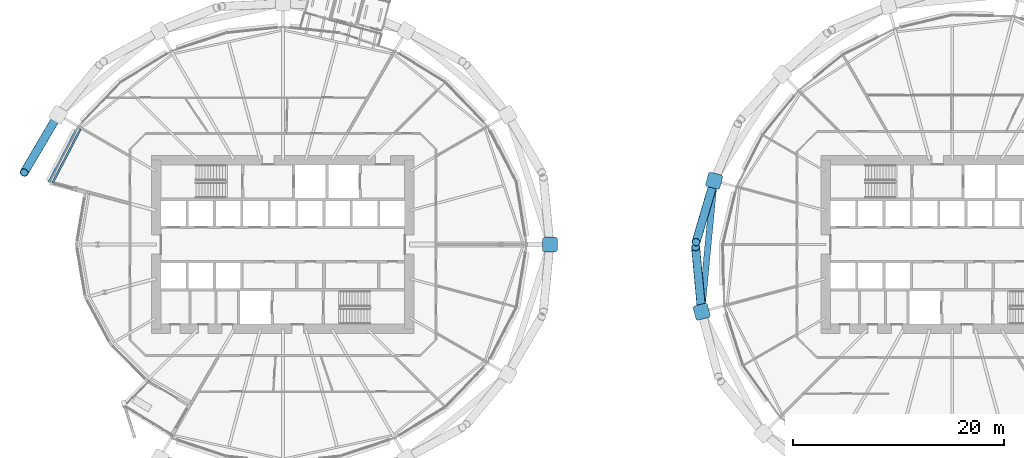
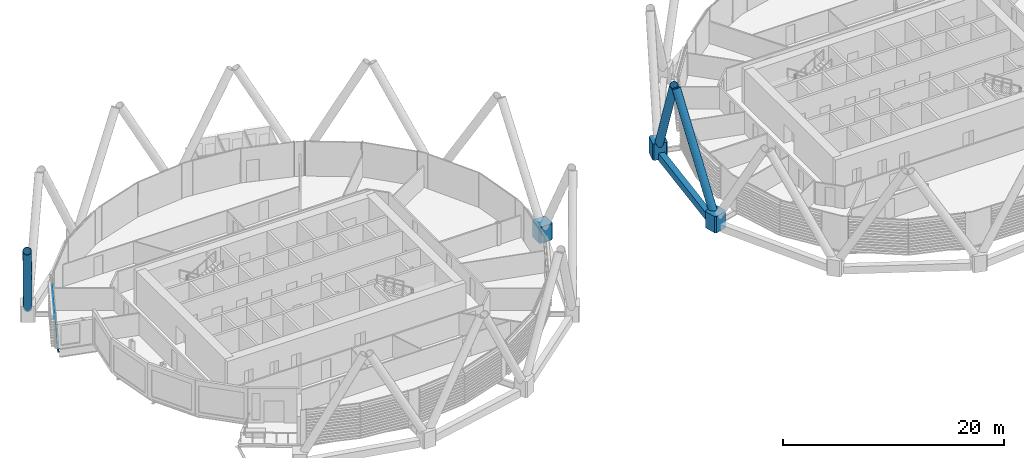
# One storey, part 10 of 40: 7 members, 2 beams, 1 element without a shape of its own.
"""IFC4 building model written with IfcOpenShell, lengths in metres."""

import ifcopenshell
import ifcopenshell.guid

model = None  # the IFC model being written
_history = None  # IfcOwnerHistory: only IFC2X3 demands one
_inside = {}  # id of a spatial element -> (the spatial element, [elements in it])
_under = {}  # id of a project, library or spatial element -> (it, [spatial elements below it])
_declared = {}  # id of a project -> (the project, [libraries it declares])
_typed = {}  # id of a type object -> (the type object, [elements of that type])
_made_of = {}  # id of a material, layer set ... -> (it, [elements and type objects made of it])


def new_model(schema):
    """Start an empty IFC model of exactly this schema.

    Asked for "IFC4X3", IfcOpenShell would pick the latest addendum, in which some entities
    have other attributes; the version numbers below select the first issue.
    IFC2X3 requires an IfcOwnerHistory on every rooted entity: one is made here for all.
    """
    global model, _history
    if schema == "IFC4X3":
        model = ifcopenshell.file(schema_version=(4, 3, 0, 0))
    else:
        model = ifcopenshell.file(schema=schema)
    _inside.clear()
    _under.clear()
    _declared.clear()
    _typed.clear()
    _made_of.clear()
    _history = None
    if model.schema == "IFC2X3":
        org = make("IfcOrganization", Name="unknown")
        user = make(
            "IfcPersonAndOrganization",
            ThePerson=make("IfcPerson", FamilyName="unknown"),
            TheOrganization=org,
        )
        app = make(
            "IfcApplication",
            ApplicationDeveloper=org,
            Version="unknown",
            ApplicationFullName="unknown",
            ApplicationIdentifier="unknown",
        )
        _history = make(
            "IfcOwnerHistory",
            OwningUser=user,
            OwningApplication=app,
            ChangeAction="ADDED",
            CreationDate=0,
        )
    return model


def make(cls, **values):
    """One entity of the class cls with the attributes given. An attribute that is None is left unset."""
    return model.create_entity(
        cls, **{name: value for name, value in values.items() if value is not None}
    )


def rooted(cls, **values):
    """An entity with a GlobalId (a new one), such as an element, a storey or a relation."""
    return make(cls, GlobalId=ifcopenshell.guid.new(), OwnerHistory=_history, **values)


def si_unit(unit_type, name, prefix=None):
    """IfcSIUnit, for example si_unit("LENGTHUNIT", "METRE", prefix="MILLI")."""
    return make("IfcSIUnit", UnitType=unit_type, Prefix=prefix, Name=name)


def assignment(units):
    """IfcUnitAssignment: the units of a project."""
    return None if units is None else make("IfcUnitAssignment", Units=units)


def point(xyz):
    """IfcCartesianPoint."""
    return None if xyz is None else make("IfcCartesianPoint", Coordinates=xyz)


def direction(xyz):
    """IfcDirection."""
    return None if xyz is None else make("IfcDirection", DirectionRatios=xyz)


def frame(location, z_axis=None, x_axis=None):
    """IfcAxis2Placement3D, a coordinate frame: its origin and axes. An axis left out is left unset."""
    return make(
        "IfcAxis2Placement3D",
        Location=point(location),
        Axis=direction(z_axis),
        RefDirection=direction(x_axis),
    )


def frame_2d(location, x_axis=None):
    """IfcAxis2Placement2D, a coordinate frame in the plane: its origin and x axis."""
    return make(
        "IfcAxis2Placement2D", Location=point(location), RefDirection=direction(x_axis)
    )


def origin():
    """The frame at (0, 0, 0) with its axes left unset."""
    return frame((0.0, 0.0, 0.0))


def origin_2d():
    """The frame at (0, 0) in the plane with its x axis left unset."""
    return frame_2d((0.0, 0.0))


def place(relative_to, where):
    """IfcLocalPlacement: puts the frame where relative to a parent placement (None: the world)."""
    return make(
        "IfcLocalPlacement", PlacementRelTo=relative_to, RelativePlacement=where
    )


def context(
    kind, dimensions, precision=None, world=None, true_north=None, identifier=None
):
    """IfcGeometricRepresentationContext, for example the 3D "Model" context."""
    return make(
        "IfcGeometricRepresentationContext",
        ContextIdentifier=identifier,
        ContextType=kind,
        CoordinateSpaceDimension=dimensions,
        Precision=precision,
        WorldCoordinateSystem=world,
        TrueNorth=true_north,
    )


def subcontext(parent, identifier, kind, view, scale=None):
    """IfcGeometricRepresentationSubContext, for example "Body" below "Model"."""
    return make(
        "IfcGeometricRepresentationSubContext",
        ContextIdentifier=identifier,
        ContextType=kind,
        ParentContext=parent,
        TargetScale=scale,
        TargetView=view,
    )


def project(units=None, contexts=None):
    """IfcProject with its units and contexts."""
    return rooted(
        "IfcProject",
        Name="project",
        RepresentationContexts=contexts,
        UnitsInContext=assignment(units),
    )


def spatial(cls, under=None, at=None, **own):
    """A site, building, storey or space (cls), placed at a placement, below another one or the project."""
    s = rooted(cls, ObjectPlacement=at, **own)
    if under is not None:
        _under.setdefault(under.id(), (under, []))[1].append(s)
    return s


def polyline(points):
    """IfcPolyline through the points."""
    return make("IfcPolyline", Points=[point(p) for p in points])


def profile(cls, at=None, kind="AREA", **sizes):
    """A parametric profile (cls). Its sizes go by their IFC names, for example OverallWidth=200.0."""
    return make(cls, ProfileType=kind, Position=at, **sizes)


def rectangle(**sizes):
    """IfcRectangleProfileDef."""
    return profile("IfcRectangleProfileDef", **sizes)


def hollow_rectangle(**sizes):
    """IfcRectangleHollowProfileDef."""
    return profile("IfcRectangleHollowProfileDef", **sizes)


def hollow_circle(**sizes):
    """IfcCircleHollowProfileDef."""
    return profile("IfcCircleHollowProfileDef", **sizes)


def i_section(**sizes):
    """IfcIShapeProfileDef."""
    return profile("IfcIShapeProfileDef", **sizes)


def outline(outer, holes=None, kind="AREA"):
    """IfcArbitraryClosedProfileDef: a profile drawn as a closed curve; with holes, ...WithVoids."""
    if holes is None:
        return make("IfcArbitraryClosedProfileDef", ProfileType=kind, OuterCurve=outer)
    return make(
        "IfcArbitraryProfileDefWithVoids",
        ProfileType=kind,
        OuterCurve=outer,
        InnerCurves=holes,
    )


def extrude(swept, where, along, depth):
    """IfcExtrudedAreaSolid: the profile swept, set in the frame where, extruded along a direction by depth."""
    return make(
        "IfcExtrudedAreaSolid",
        SweptArea=swept,
        Position=where,
        ExtrudedDirection=direction(along),
        Depth=depth,
    )


def shape(context_of_items, identifier, shape_type, items):
    """IfcShapeRepresentation: the items that make up one representation, for example the "Body"."""
    return make(
        "IfcShapeRepresentation",
        ContextOfItems=context_of_items,
        RepresentationIdentifier=identifier,
        RepresentationType=shape_type,
        Items=items,
    )


def material(Name=None, Category=None):
    """IfcMaterial."""
    return make("IfcMaterial", Name=Name, Category=Category)


def material_profile(
    of_material, cross_section, Name=None, Category=None, Priority=None
):
    """IfcMaterialProfile: a cross section and its material."""
    return make(
        "IfcMaterialProfile",
        Name=Name,
        Material=of_material,
        Profile=cross_section,
        Priority=Priority,
        Category=Category,
    )


def profile_set(profiles, Name=None, composite=None):
    """IfcMaterialProfileSet."""
    return make(
        "IfcMaterialProfileSet",
        Name=Name,
        MaterialProfiles=profiles,
        CompositeProfile=composite,
    )


def made_of(thing, what):
    """Note that an element or type object is made of a material, layer set ...; save() writes the relation."""
    if what is not None:
        _made_of.setdefault(what.id(), (what, []))[1].append(thing)
    return thing


def type_object(cls, material=None, **own):
    """A type object (cls), such as IfcWallType, which elements share."""
    return made_of(rooted(cls, **own), material)


def element(
    cls,
    number,
    at=None,
    inside=None,
    cuts=None,
    type_object=None,
    material=None,
    context=None,
    identifier="Body",
    shape_type=None,
    held_by="IfcProductDefinitionShape",
    body=None,
    shapes=None,
    **own,
):
    """One element of the class cls, such as IfcWall. Its Tag is "e" and its number.

    at: its placement. inside: the storey or other place that contains it. cuts: it is an
    opening in that element (IfcRelVoidsElement). A single representation is given by context,
    identifier, shape_type and body (its items); several are given by shapes. held_by: the class
    of the entity that holds the representations. save() writes the other relations.
    """
    e = rooted(cls, Tag="e%d" % number, ObjectPlacement=at, **own)
    if body is not None:
        shapes = [shape(context, identifier, shape_type, body)]
    if shapes is not None:
        e.Representation = make(held_by, Representations=shapes)
    if inside is not None:
        _inside.setdefault(inside.id(), (inside, []))[1].append(e)
    if cuts is not None:
        rooted(
            "IfcRelVoidsElement", RelatingBuildingElement=cuts, RelatedOpeningElement=e
        )
    if type_object is not None:
        _typed.setdefault(type_object.id(), (type_object, []))[1].append(e)
    return made_of(e, material)


def aggregate(whole, parts):
    """IfcRelAggregates: a whole, such as a stair, and the parts it consists of."""
    return rooted("IfcRelAggregates", RelatingObject=whole, RelatedObjects=parts)


def save(model, path):
    """Write the relations noted so far, then the file.

    IfcRelAggregates (storeys below a building ...), IfcRelContainedInSpatialStructure (elements
    in a storey), IfcRelDefinesByType, IfcRelAssociatesMaterial and IfcRelDeclares: one each for
    every whole, place, type object, material and project.
    """
    for whole, parts in _under.values():
        aggregate(whole, parts)
    for where, things in _inside.values():
        rooted(
            "IfcRelContainedInSpatialStructure",
            RelatedElements=things,
            RelatingStructure=where,
        )
    for kind, things in _typed.values():
        rooted("IfcRelDefinesByType", RelatedObjects=things, RelatingType=kind)
    for what, things in _made_of.values():
        rooted("IfcRelAssociatesMaterial", RelatedObjects=things, RelatingMaterial=what)
    for by, libraries in _declared.values():
        rooted("IfcRelDeclares", RelatingContext=by, RelatedDefinitions=libraries)
    model.write(path)


model = new_model("IFC4")

# Units and contexts
model_context = context("Model", 3, precision=1e-05, world=origin(), true_north=direction((0.0, 1.0)))
body_context = subcontext(model_context, "Body", "Model", "MODEL_VIEW")
ifc_project = project(units=[si_unit("LENGTHUNIT", "METRE"), si_unit("AREAUNIT", "SQUARE_METRE"), si_unit("VOLUMEUNIT", "CUBIC_METRE"), si_unit("PLANEANGLEUNIT", "RADIAN"), si_unit("MASSUNIT", "GRAM", prefix="KILO")], contexts=[model_context])

# Site, building, storey
site_placement = place(None, origin())
site = spatial("IfcSite", under=ifc_project, at=site_placement, CompositionType="ELEMENT")
building_placement = place(site_placement, origin())
building = spatial("IfcBuilding", under=site, at=building_placement, Name="Rimbun Link Towers", CompositionType="ELEMENT")
storey_placement = place(building_placement, frame((0.0, 0.0, 52.800048828125)))
storey = spatial("IfcBuildingStorey", under=building, at=storey_placement, Name="L12", CompositionType="ELEMENT", Elevation=52.800048828125)

# Curtain wall, member
ifc_material_1 = material(Name="Aluminium 6063-T6 and low-iron glass", Category="aluminium")
curtain_wall_type = type_object("IfcCurtainWallType", Name="CW1 unitised vision wall", PredefinedType="NOTDEFINED", material=ifc_material_1)
curtain_wall_placement = place(storey_placement, origin())
curtain_wall = element("IfcCurtainWall", 1, at=curtain_wall_placement, inside=storey, type_object=curtain_wall_type, Name="CW1 L12 T1", PredefinedType="NOTDEFINED")
ifc_material_2 = material(Name="Aluminium 6063-T6", Category="aluminium")
ifc_material_profile_1 = material_profile(ifc_material_2, rectangle(XDim=0.06005859375, YDim=0.1201171875, at=origin_2d()), Name="TRANSOM 60X120")
ifc_profile_set_1 = profile_set([ifc_material_profile_1], Name="Aluminium 6063-T6")
member_type_1 = type_object("IfcMemberType", Name="CW1 transom 60X120", PredefinedType="USERDEFINED", material=ifc_profile_set_1)
member_1_placement = place(storey_placement, frame((-53.885009765625, 5.974365234375, 3.199951171875), z_axis=(0.459555326558, 0.888149143912, 0.0), x_axis=(-0.888149143912, 0.459555326558, 0.0)))
member_1 = element("IfcMember", 2, at=member_1_placement, type_object=member_type_1, Name="CW1 transom", ObjectType="TRANSOM", PredefinedType="USERDEFINED", context=body_context, shape_type="SweptSolid", body=[
    extrude(rectangle(XDim=0.06005859375, YDim=0.1201171875, at=origin_2d()), origin(), (0.0, 0.0, 1.0), 5.417236328125),
])
aggregate(curtain_wall, [member_1])

# Members
ifc_material_3 = material(Name="Steel S460NH", Category="steel")
ifc_material_profile_2 = material_profile(ifc_material_3, hollow_circle(Radius=0.406494140625, WallThickness=0.0400390625, at=origin_2d()), Name="Diagrid diagonal CHS 813x40")
ifc_profile_set_2 = profile_set([ifc_material_profile_2], Name="Steel S460NH")
member_type_2 = type_object("IfcMemberType", Name="Diagrid diagonal CHS 813x40", PredefinedType="BRACE", material=ifc_profile_set_2)
member_2_placement = place(storey_placement, frame((-53.19921875, 12.093994140625, 0.432373046875), z_axis=(-0.254505768559, -0.43237515139, 0.865030948713), x_axis=(0.861788328519, -0.507268052245, 0.0)))
element("IfcMember", 3, at=member_2_placement, inside=storey, type_object=member_type_2, Name="Diagrid diagonal T1 L12-L15 10b", PredefinedType="BRACE", context=body_context, shape_type="SweptSolid", body=[
    extrude(hollow_circle(Radius=0.406494140625, WallThickness=0.0400390625, at=origin_2d()), origin(), (0.0, 0.0, 1.0), 12.178955078125),
])
member_3_placement = place(storey_placement, frame((9.086669921875, 5.822021484375, 0.437255859375), z_axis=(-0.136916341407, -0.4646064379, 0.874868432004), x_axis=(0.959215927971, -0.282674377201, 0.0)))
element("IfcMember", 4, at=member_3_placement, inside=storey, type_object=member_type_2, Name="Diagrid diagonal T2 L12-L15 08b", PredefinedType="BRACE", context=body_context, shape_type="SweptSolid", body=[
    extrude(hollow_circle(Radius=0.406494140625, WallThickness=0.0400390625, at=origin_2d()), origin(), (0.0, 0.0, 1.0), 12.03076171875),
])
member_4_placement = place(storey_placement, frame((7.945556640625, -6.128662109375, 0.43603515625), z_axis=(-0.045699338087, 0.487425904684, 0.871967635834), x_axis=(-0.995633626271, -0.093347106217, 0.0)))
element("IfcMember", 5, at=member_4_placement, inside=storey, type_object=member_type_2, Name="Diagrid diagonal T2 L12-L15 10a", PredefinedType="BRACE", context=body_context, shape_type="SweptSolid", body=[
    extrude(hollow_circle(Radius=0.406494140625, WallThickness=0.0400390625, at=origin_2d()), origin(), (0.0, 0.0, 1.0), 12.07373046875),
])
ifc_material_4 = material(Name="Cast steel G20Mn5+QT, Rp0.2 300 MPa", Category="steel")
ifc_material_profile_3 = material_profile(ifc_material_4, outline(polyline([(0.699951171875, -0.570068359375), (0.699951171875, 0.570068359375), (0.570068359375, 0.699951171875), (-0.570068359375, 0.699951171875), (-0.699951171875, 0.570068359375), (-0.699951171875, -0.570068359375), (-0.570068359375, -0.699951171875), (0.570068359375, -0.699951171875), (0.699951171875, -0.570068359375)])), Name="NODE 1400x1400")
ifc_profile_set_3 = profile_set([ifc_material_profile_3], Name="Cast steel G20Mn5+QT, Rp0.2 300 MPa")
member_type_3 = type_object("IfcMemberType", Name="Diagrid node cast 1400", PredefinedType="USERDEFINED", material=ifc_profile_set_3)
for number, where, z_axis, x_axis, name in (
    (6, (-6.428955078125, 0.0, -0.900146484375), (0.0, 0.0, 1.0), (1.0, 0.0, 0.0), "Diagrid node L12 00"),
    (7, (9.155029296875, 6.05419921875, -0.900146484375), (0.0, 0.0, 1.0), (-0.965925826289, 0.258819045103, 0.0), "Diagrid node L12 08"),
    (8, (7.968505859375, -6.372314453125, -0.900146484375), (0.0, 0.0, 1.0), (-0.965925826289, -0.258819045103, 0.0), "Diagrid node L12 10"),
):
    element("IfcMember", number, at=place(storey_placement, frame(where, z_axis=z_axis, x_axis=x_axis)), inside=storey, type_object=member_type_3, Name=name, ObjectType="Diagrid node", PredefinedType="USERDEFINED", context=body_context, shape_type="SweptSolid", body=[
        extrude(outline(polyline([(0.699951171875, -0.570068359375), (0.699951171875, 0.570068359375), (0.570068359375, 0.699951171875), (-0.570068359375, 0.699951171875), (-0.699951171875, 0.570068359375), (-0.699951171875, -0.570068359375), (-0.570068359375, -0.699951171875), (0.570068359375, -0.699951171875), (0.699951171875, -0.570068359375)])), origin(), (0.0, 0.0, 1.0), 1.800048828125),
    ])

# Beams
ifc_material_5 = material(Name="Steel S355J2", Category="steel")
ifc_material_profile_4 = material_profile(ifc_material_5, hollow_rectangle(XDim=0.60009765625, YDim=0.800048828125, WallThickness=0.0400390625, at=origin_2d()), Name="Exoskeleton ring girder BOX 600x800x40")
ifc_profile_set_4 = profile_set([ifc_material_profile_4], Name="Steel S355J2")
beam_type_1 = type_object("IfcBeamType", Name="Exoskeleton ring girder BOX 600x800x40", PredefinedType="BEAM", material=ifc_profile_set_4)
beam_1_placement = place(storey_placement, frame((9.088623046875, 5.357421875, -0.56005859375), z_axis=(-0.095073129067, -0.995470290933, 0.0), x_axis=(0.995470290933, -0.095073129067, 0.0)))
element("IfcBeam", 9, at=beam_1_placement, inside=storey, type_object=beam_type_1, Name="Exoskeleton ring girder L12 04", PredefinedType="BEAM", context=body_context, shape_type="SweptSolid", body=[
    extrude(hollow_rectangle(XDim=0.60009765625, YDim=0.800048828125, WallThickness=0.0400390625, at=origin_2d()), origin(), (0.0, 0.0, 1.0), 11.083251953125),
])
ifc_material_6 = material(Name="Steel S355J2", Category="steel")
ifc_material_profile_5 = material_profile(ifc_material_6, i_section(OverallWidth=0.177978515625, OverallDepth=0.406494140625, WebThickness=0.0078125, FlangeThickness=0.0126953125, at=origin_2d()), Name="UB 406x178x60")
ifc_profile_set_5 = profile_set([ifc_material_profile_5], Name="Steel S355J2")
beam_type_2 = type_object("IfcBeamType", Name="UB 406x178x60", PredefinedType="BEAM", material=ifc_profile_set_5)
beam_2_placement = place(storey_placement, frame((-50.951171875, 10.959228515625, -0.36328125), z_axis=(-0.460614593627, -0.887600245684, 0.0), x_axis=(0.887600245684, -0.460614593627, 0.0)))
element("IfcBeam", 10, at=beam_2_placement, inside=storey, type_object=beam_type_2, Name="Edge beam T1 L12 10", PredefinedType="BEAM", context=body_context, shape_type="SweptSolid", body=[
    extrude(i_section(OverallWidth=0.177978515625, OverallDepth=0.406494140625, WebThickness=0.0078125, FlangeThickness=0.0126953125, at=origin_2d()), origin(), (0.0, 0.0, 1.0), 5.749755859375),
])

save(model, "model.ifc")
